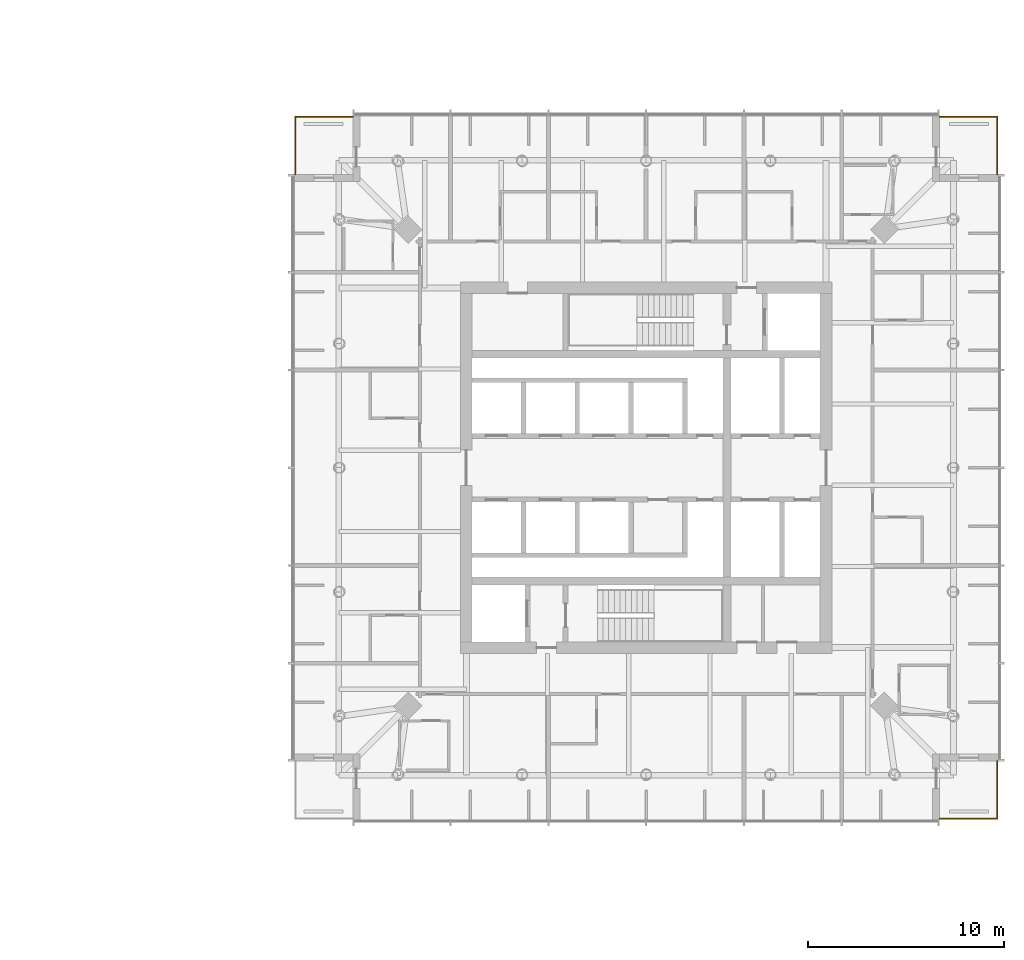
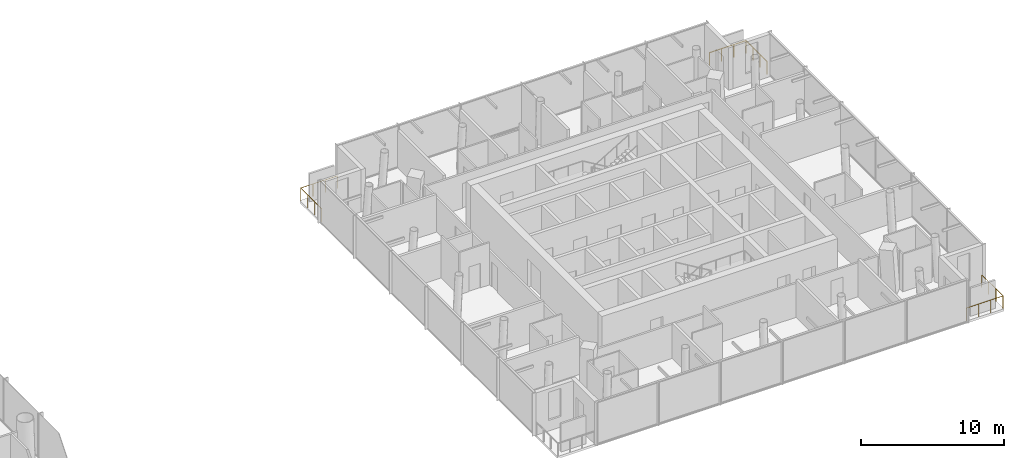
# One storey, part 18 of 18: 3 railings.
"""IFC4 building model written with IfcOpenShell, lengths in metres."""

from ifc_helpers import new_model, si_unit, direction, frame, origin, origin_2d, place, context, subcontext, project, spatial, circle, extrude, material, type_object, element, save


model = new_model("IFC4")

# Units and contexts
model_context = context("Model", 3, precision=1e-05, world=origin(), true_north=direction((0.0, 1.0)))
body_context = subcontext(model_context, "Body", "Model", "MODEL_VIEW")
ifc_project = project(units=[si_unit("LENGTHUNIT", "METRE"), si_unit("AREAUNIT", "SQUARE_METRE"), si_unit("VOLUMEUNIT", "CUBIC_METRE"), si_unit("PLANEANGLEUNIT", "RADIAN"), si_unit("MASSUNIT", "GRAM", prefix="KILO")], contexts=[model_context])

# Site, building, storey
site_placement = place(None, origin())
site = spatial("IfcSite", under=ifc_project, at=site_placement, CompositionType="ELEMENT")
building_placement = place(site_placement, origin())
building = spatial("IfcBuilding", under=site, at=building_placement, Name="Ostroluk Exchange", CompositionType="ELEMENT")
storey_placement = place(building_placement, frame((0.0, 0.0, 97.0)))
storey = spatial("IfcBuildingStorey", under=building, at=storey_placement, Name="L24", CompositionType="ELEMENT", Elevation=97.0)

# Railings
ifc_material = material(Name="Stainless steel", Category="steel")
railing_type = type_object("IfcRailingType", Name="Guard 1100 stainless steel", PredefinedType="GUARDRAIL", material=ifc_material)
railing_1_placement = place(storey_placement, frame((132.0, 28.050048828125, 0.0)))
element("IfcRailing", 1, at=railing_1_placement, inside=storey, type_object=railing_type, Name="Hotel tower SE balcony guard L24", PredefinedType="GUARDRAIL", context=body_context, shape_type="SweptSolid", body=[
    extrude(circle(Radius=0.02392578125, at=origin_2d()), frame((0.0, 0.0, 1.076171875), z_axis=(1.0, 0.0, 0.0), x_axis=(0.0, 1.0, 0.0)), (0.0, 0.0, 1.0), 2.949951171875),
    extrude(circle(Radius=0.02392578125, at=origin_2d()), frame((2.949951171875, 0.0, 1.076171875), z_axis=(0.0, 1.0, 0.0), x_axis=(-1.0, 0.0, 0.0)), (0.0, 0.0, 1.0), 2.949951171875),
    extrude(circle(Radius=0.02099609375, at=origin_2d()), origin(), (0.0, 0.0, 1.0), 1.052001953125),
    extrude(circle(Radius=0.02099609375, at=origin_2d()), frame((0.9833984375, 0.0, 0.0)), (0.0, 0.0, 1.0), 1.052001953125),
    extrude(circle(Radius=0.02099609375, at=origin_2d()), frame((1.966552734375, 0.0, 0.0)), (0.0, 0.0, 1.0), 1.052001953125),
    extrude(circle(Radius=0.02099609375, at=origin_2d()), frame((2.949951171875, 0.0, 0.0)), (0.0, 0.0, 1.0), 1.052001953125),
    extrude(circle(Radius=0.02099609375, at=origin_2d()), frame((2.949951171875, 0.9833984375, 0.0)), (0.0, 0.0, 1.0), 1.052001953125),
    extrude(circle(Radius=0.02099609375, at=origin_2d()), frame((2.949951171875, 1.966552734375, 0.0)), (0.0, 0.0, 1.0), 1.052001953125),
    extrude(circle(Radius=0.02099609375, at=origin_2d()), frame((2.949951171875, 2.949951171875, 0.0)), (0.0, 0.0, 1.0), 1.052001953125),
])
railing_2_placement = place(storey_placement, frame((132.0, 63.949951171875, 0.0)))
element("IfcRailing", 2, at=railing_2_placement, inside=storey, type_object=railing_type, Name="Hotel tower NE balcony guard L24", PredefinedType="GUARDRAIL", context=body_context, shape_type="SweptSolid", body=[
    extrude(circle(Radius=0.02392578125, at=origin_2d()), frame((0.0, 0.0, 1.076171875), z_axis=(1.0, 0.0, 0.0), x_axis=(0.0, 1.0, 0.0)), (0.0, 0.0, 1.0), 2.949951171875),
    extrude(circle(Radius=0.02392578125, at=origin_2d()), frame((2.949951171875, 0.0, 1.076171875), z_axis=(0.0, -1.0, 0.0), x_axis=(1.0, 0.0, 0.0)), (0.0, 0.0, 1.0), 2.949951171875),
    extrude(circle(Radius=0.02099609375, at=origin_2d()), origin(), (0.0, 0.0, 1.0), 1.052001953125),
    extrude(circle(Radius=0.02099609375, at=origin_2d()), frame((0.9833984375, 0.0, 0.0)), (0.0, 0.0, 1.0), 1.052001953125),
    extrude(circle(Radius=0.02099609375, at=origin_2d()), frame((1.966552734375, 0.0, 0.0)), (0.0, 0.0, 1.0), 1.052001953125),
    extrude(circle(Radius=0.02099609375, at=origin_2d()), frame((2.949951171875, 0.0, 0.0)), (0.0, 0.0, 1.0), 1.052001953125),
    extrude(circle(Radius=0.02099609375, at=origin_2d()), frame((2.949951171875, -0.9833984375, 0.0)), (0.0, 0.0, 1.0), 1.052001953125),
    extrude(circle(Radius=0.02099609375, at=origin_2d()), frame((2.949951171875, -1.966552734375, 0.0)), (0.0, 0.0, 1.0), 1.052001953125),
    extrude(circle(Radius=0.02099609375, at=origin_2d()), frame((2.949951171875, -2.949951171875, 0.0)), (0.0, 0.0, 1.0), 1.052001953125),
])
railing_3_placement = place(storey_placement, frame((102.0, 63.949951171875, 0.0)))
element("IfcRailing", 3, at=railing_3_placement, inside=storey, type_object=railing_type, Name="Hotel tower NW balcony guard L24", PredefinedType="GUARDRAIL", context=body_context, shape_type="SweptSolid", body=[
    extrude(circle(Radius=0.02392578125, at=origin_2d()), frame((0.0, 0.0, 1.076171875), z_axis=(-1.0, 0.0, 0.0), x_axis=(0.0, -1.0, 0.0)), (0.0, 0.0, 1.0), 2.949951171875),
    extrude(circle(Radius=0.02392578125, at=origin_2d()), frame((-2.949951171875, 0.0, 1.076171875), z_axis=(0.0, -1.0, 0.0), x_axis=(1.0, 0.0, 0.0)), (0.0, 0.0, 1.0), 2.949951171875),
    extrude(circle(Radius=0.02099609375, at=origin_2d()), origin(), (0.0, 0.0, 1.0), 1.052001953125),
    extrude(circle(Radius=0.02099609375, at=origin_2d()), frame((-0.9833984375, 0.0, 0.0)), (0.0, 0.0, 1.0), 1.052001953125),
    extrude(circle(Radius=0.02099609375, at=origin_2d()), frame((-1.966552734375, 0.0, 0.0)), (0.0, 0.0, 1.0), 1.052001953125),
    extrude(circle(Radius=0.02099609375, at=origin_2d()), frame((-2.949951171875, 0.0, 0.0)), (0.0, 0.0, 1.0), 1.052001953125),
    extrude(circle(Radius=0.02099609375, at=origin_2d()), frame((-2.949951171875, -0.9833984375, 0.0)), (0.0, 0.0, 1.0), 1.052001953125),
    extrude(circle(Radius=0.02099609375, at=origin_2d()), frame((-2.949951171875, -1.966552734375, 0.0)), (0.0, 0.0, 1.0), 1.052001953125),
    extrude(circle(Radius=0.02099609375, at=origin_2d()), frame((-2.949951171875, -2.949951171875, 0.0)), (0.0, 0.0, 1.0), 1.052001953125),
])

save(model, "model.ifc")
